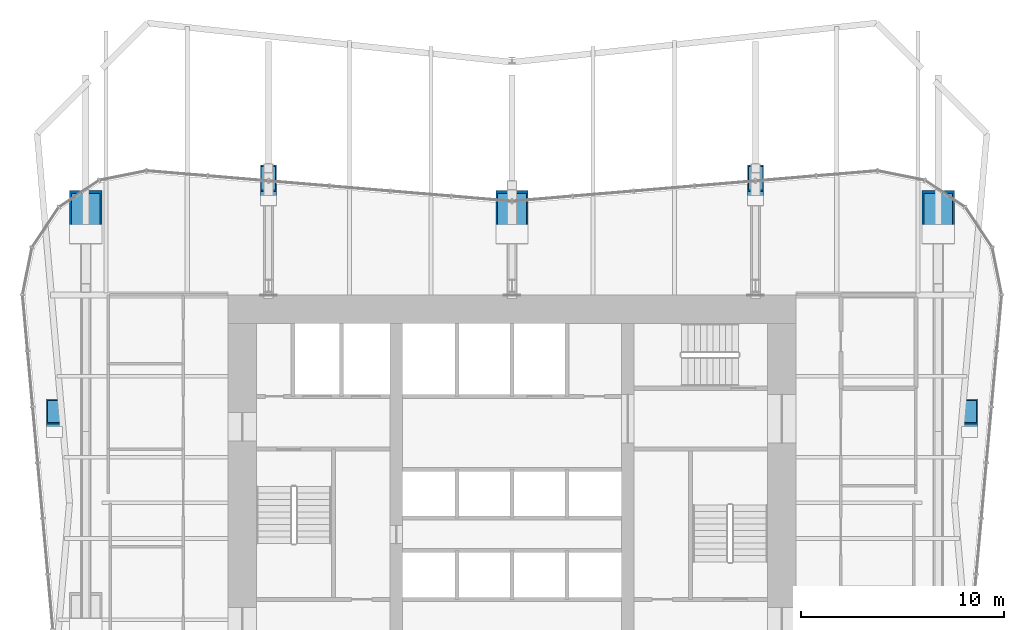
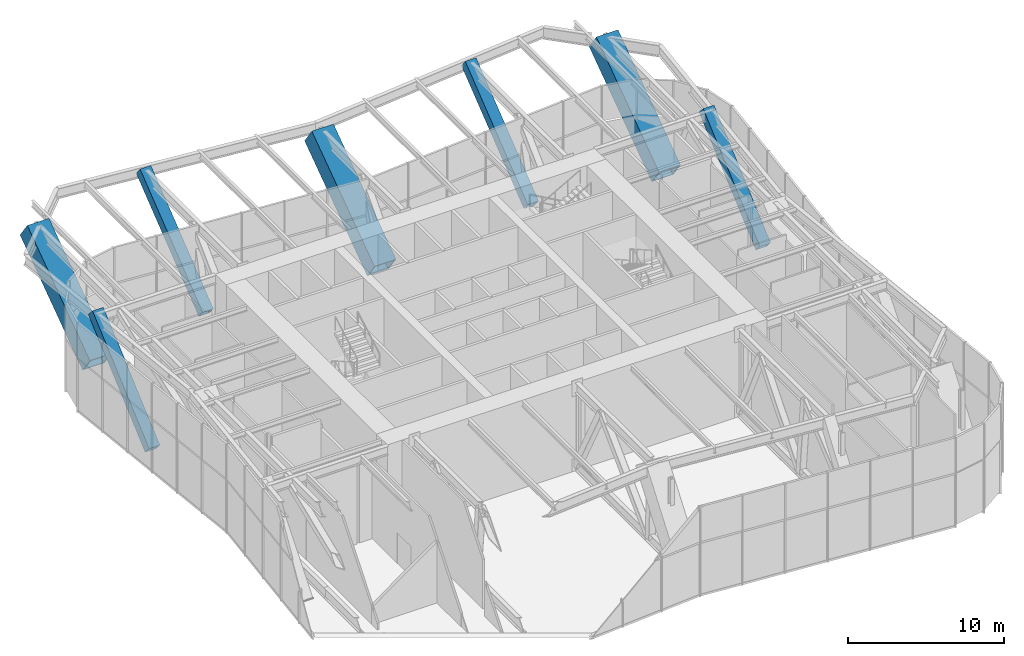
# One storey, part 3 of 17: 7 columns.
"""IFC4 building model written with IfcOpenShell, lengths in metres."""

from ifc_helpers import new_model, si_unit, direction, frame, origin, origin_2d, place, context, subcontext, project, spatial, hollow_rectangle, extrude, material, material_profile, profile_set, type_object, element, save


model = new_model("IFC4")

# Units and contexts
model_context = context("Model", 3, precision=1e-05, world=origin(), true_north=direction((0.0, 1.0)))
body_context = subcontext(model_context, "Body", "Model", "MODEL_VIEW")
ifc_project = project(units=[si_unit("LENGTHUNIT", "METRE"), si_unit("AREAUNIT", "SQUARE_METRE"), si_unit("VOLUMEUNIT", "CUBIC_METRE"), si_unit("PLANEANGLEUNIT", "RADIAN"), si_unit("MASSUNIT", "GRAM", prefix="KILO")], contexts=[model_context])

# Site, building, storey
site_placement = place(None, origin())
site = spatial("IfcSite", under=ifc_project, at=site_placement, CompositionType="ELEMENT")
building_placement = place(site_placement, origin())
building = spatial("IfcBuilding", under=site, at=building_placement, Name="Verdant Reach Tower", CompositionType="ELEMENT")
storey_placement = place(building_placement, frame((0.0, 0.0, 58.0)))
storey = spatial("IfcBuildingStorey", under=building, at=storey_placement, Name="L13 Plant", CompositionType="ELEMENT", Elevation=58.0)

# Columns
ifc_material = material(Name="Steel S460", Category="steel")
ifc_material_profile_1 = material_profile(ifc_material, hollow_rectangle(XDim=1.60009765625, YDim=1.60009765625, WallThickness=0.090087890625, at=origin_2d()), Name="WB 1600x1600x90")
ifc_profile_set_1 = profile_set([ifc_material_profile_1], Name="Steel S460")
column_type_1 = type_object("IfcColumnType", Name="ST-COL-WB1600x1600x90", PredefinedType="COLUMN", material=ifc_profile_set_1)
for number, where, z_axis, x_axis, name in (
    (1, (-21.0, 42.0, 0.65234375), (0.0, 0.814646276417, 0.579958140145), (-1.0, 0.0, 0.0), "Mega column north-west, L13 Plant"),
    (2, (0.0, 42.0, 0.65234375), (0.0, 0.814646276417, 0.579958140145), (-1.0, 0.0, 0.0), "Mega column north, L13 Plant"),
    (3, (21.0, 42.0, 0.65234375), (0.0, 0.814646276417, 0.579958140145), (-1.0, 0.0, 0.0), "Mega column north-east, L13 Plant"),
):
    element("IfcColumn", number, at=place(storey_placement, frame(where, z_axis=z_axis, x_axis=x_axis)), inside=storey, type_object=column_type_1, Name=name, PredefinedType="COLUMN", context=body_context, shape_type="SweptSolid", body=[
        extrude(hollow_rectangle(XDim=1.60009765625, YDim=1.60009765625, WallThickness=0.090087890625, at=origin_2d()), origin(), (0.0, 0.0, 1.0), 9.8203125),
    ])
ifc_material_profile_2 = material_profile(ifc_material, hollow_rectangle(XDim=0.800048828125, YDim=0.800048828125, WallThickness=0.0400390625, at=origin_2d()), Name="WB 800x800x40")
ifc_profile_set_2 = profile_set([ifc_material_profile_2], Name="Steel S460")
column_type_2 = type_object("IfcColumnType", Name="ST-COL-WB800x800x40", PredefinedType="COLUMN", material=ifc_profile_set_2)
for number, where, z_axis, x_axis, name in (
    (4, (-12.0, 43.64990234375, 0.336181640625), (0.0, 0.784317545902, 0.620359562826), (-1.0, 0.0, 0.0), "Perimeter column north 1, L13 Plant"),
    (5, (12.0, 43.64990234375, 0.336181640625), (0.0, 0.784317545902, 0.620359562826), (-1.0, 0.0, 0.0), "Perimeter column north 2, L13 Plant"),
):
    element("IfcColumn", number, at=place(storey_placement, frame(where, z_axis=z_axis, x_axis=x_axis)), inside=storey, type_object=column_type_2, Name=name, PredefinedType="COLUMN", context=body_context, shape_type="SweptSolid", body=[
        extrude(hollow_rectangle(XDim=0.800048828125, YDim=0.800048828125, WallThickness=0.0400390625, at=origin_2d()), origin(), (0.0, 0.0, 1.0), 10.199951171875),
    ])
for number, where, z_axis, x_axis, name in (
    (6, (22.536376953125, 32.25, 0.32421875), (-0.000278620801, 0.752174845295, 0.658963522872), (-0.999999931394, -0.000370420233, 0.0), "Perimeter column east 2, L13 Plant"),
    (7, (-22.536376953125, 32.25, 0.32421875), (0.000278620801, 0.752174845295, 0.658963522872), (-0.999999931394, 0.000370420233, 0.0), "Perimeter column west 2, L13 Plant"),
):
    element("IfcColumn", number, at=place(storey_placement, frame(where, z_axis=z_axis, x_axis=x_axis)), inside=storey, type_object=column_type_2, Name=name, PredefinedType="COLUMN", context=body_context, shape_type="SweptSolid", body=[
        extrude(hollow_rectangle(XDim=0.800048828125, YDim=0.800048828125, WallThickness=0.0400390625, at=origin_2d()), origin(), (0.0, 0.0, 1.0), 9.638671875),
    ])

save(model, "model.ifc")
